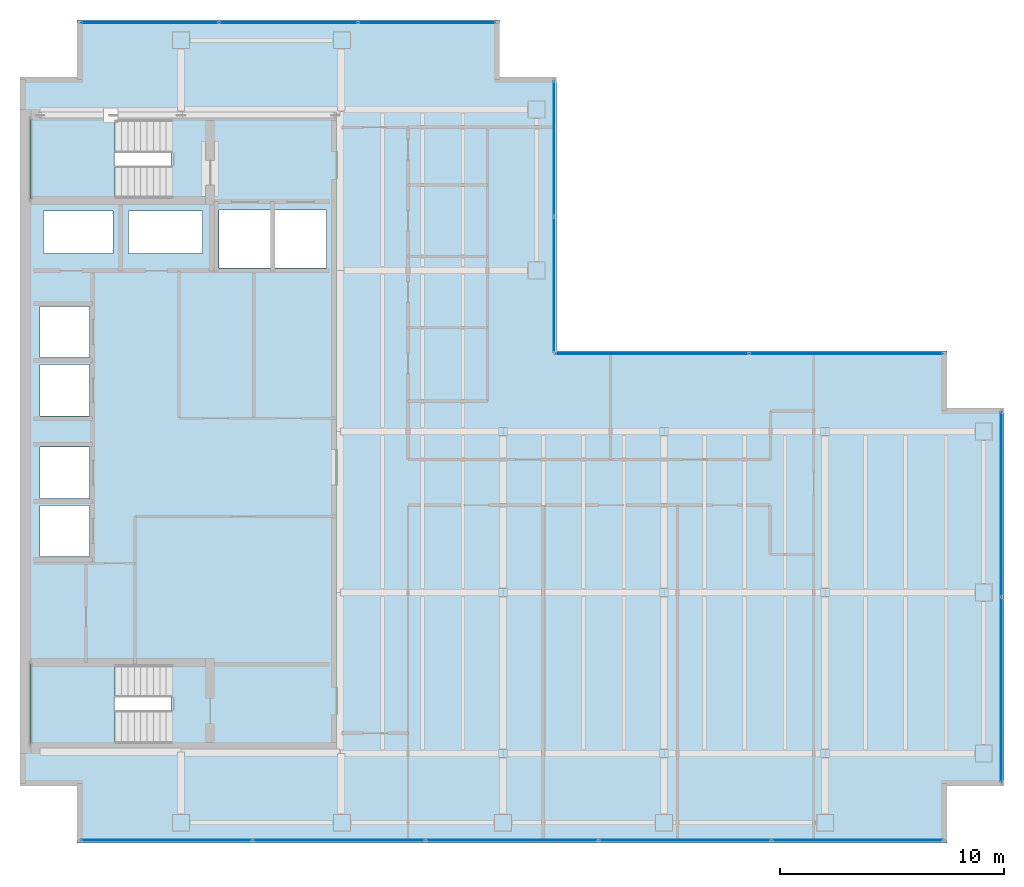
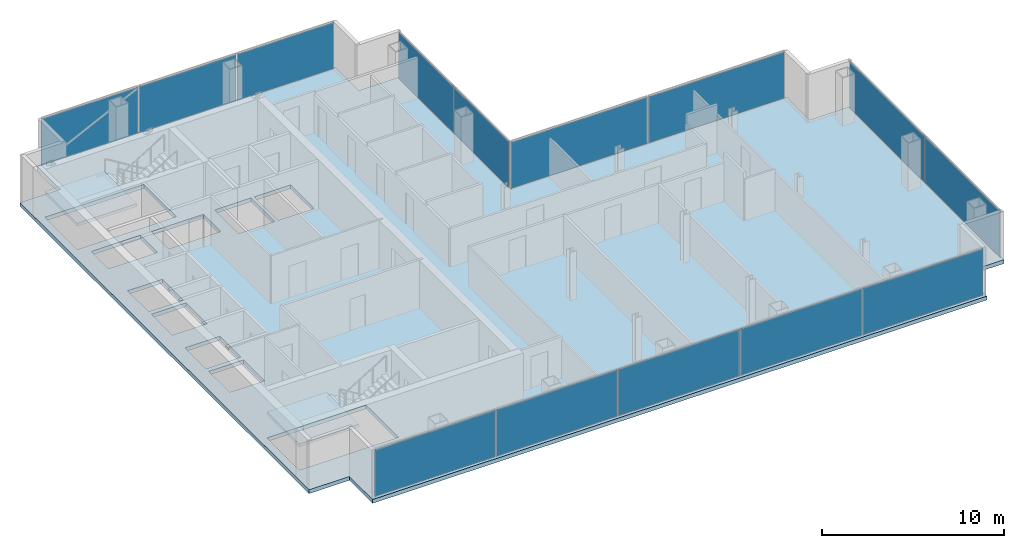
# One storey, part 19 of 23: 14 plates, 3 slabs, 10 openings, 7 elements without a shape of their own.
"""IFC4 building model written with IfcOpenShell, lengths in metres."""

from ifc_helpers import new_model, si_unit, direction, frame, origin, origin_2d, place, context, subcontext, project, spatial, polyline, rectangle, outline, extrude, material, layer, layer_set, type_object, element, aggregate, save


model = new_model("IFC4")

# Units and contexts
model_context = context("Model", 3, precision=1e-05, world=origin(), true_north=direction((0.0, 1.0)))
body_context = subcontext(model_context, "Body", "Model", "MODEL_VIEW")
ifc_project = project(units=[si_unit("LENGTHUNIT", "METRE"), si_unit("AREAUNIT", "SQUARE_METRE"), si_unit("VOLUMEUNIT", "CUBIC_METRE"), si_unit("PLANEANGLEUNIT", "RADIAN"), si_unit("MASSUNIT", "GRAM", prefix="KILO")], contexts=[model_context])

# Site, building, storey
site_placement = place(None, origin())
site = spatial("IfcSite", under=ifc_project, at=site_placement, CompositionType="ELEMENT")
building_placement = place(site_placement, origin())
building = spatial("IfcBuilding", under=site, at=building_placement, Name="Cobrela Telecom Tower", CompositionType="ELEMENT")
storey_placement = place(building_placement, frame((0.0, 0.0, 194.25)))
storey = spatial("IfcBuildingStorey", under=building, at=storey_placement, Name="L49", CompositionType="ELEMENT", Elevation=194.25)

# Curtain wall, plates
ifc_material_1 = material(Name="Anodized Bronze Aluminium 6063-T6", Category="aluminium")
curtain_wall_type = type_object("IfcCurtainWallType", Name="CW-SYS-OFF-LO", PredefinedType="USERDEFINED", material=ifc_material_1)
curtain_wall_1_placement = place(storey_placement, origin())
curtain_wall_1 = element("IfcCurtainWall", 1, at=curtain_wall_1_placement, inside=storey, type_object=curtain_wall_type, Name="L49 Unitised Bronze Curtain Wall 07", ObjectType="UNITISED CURTAIN WALL", PredefinedType="USERDEFINED")
ifc_material_2 = material(Name="Solar-Control Bronze Low-E Glass", Category="glass")
ifc_layer_1 = layer(ifc_material_2, 0.031982421875)
ifc_layer_set_1 = layer_set([ifc_layer_1], Name="Solar-Control Bronze Low-E Glass")
plate_type = type_object("IfcPlateType", Name="CW-SYS-OFF-LO-PNL", PredefinedType="CURTAIN_PANEL", material=ifc_layer_set_1)
plate_1_placement = place(storey_placement, frame((5.797607421875, 39.8798828125, 0.070068359375), z_axis=(0.0, 0.0, 1.0), x_axis=(1.0, 0.0, 0.0)))
plate_1 = element("IfcPlate", 2, at=plate_1_placement, type_object=plate_type, Name="CW-OFF-LO panel 1.1", PredefinedType="CURTAIN_PANEL", context=body_context, shape_type="SweptSolid", body=[
    extrude(rectangle(XDim=6.114990234375, YDim=0.031982421875, at=origin_2d()), origin(), (0.0, 0.0, 1.0), 3.10009765625),
])
plate_2_placement = place(storey_placement, frame((12.0, 39.8798828125, 0.070068359375), z_axis=(0.0, 0.0, 1.0), x_axis=(1.0, 0.0, 0.0)))
plate_2 = element("IfcPlate", 3, at=plate_2_placement, type_object=plate_type, Name="CW-OFF-LO panel 2.1", PredefinedType="CURTAIN_PANEL", context=body_context, shape_type="SweptSolid", body=[
    extrude(rectangle(XDim=6.14990234375, YDim=0.031982421875, at=origin_2d()), origin(), (0.0, 0.0, 1.0), 3.10009765625),
])
plate_3_placement = place(storey_placement, frame((18.202392578125, 39.8798828125, 0.070068359375), z_axis=(0.0, 0.0, 1.0), x_axis=(1.0, 0.0, 0.0)))
plate_3 = element("IfcPlate", 4, at=plate_3_placement, type_object=plate_type, Name="CW-OFF-LO panel 3.1", PredefinedType="CURTAIN_PANEL", context=body_context, shape_type="SweptSolid", body=[
    extrude(rectangle(XDim=6.114990234375, YDim=0.031982421875, at=origin_2d()), origin(), (0.0, 0.0, 1.0), 3.10009765625),
])
aggregate(curtain_wall_1, [plate_1, plate_2, plate_3])

curtain_wall_2_placement = place(storey_placement, origin())
curtain_wall_2 = element("IfcCurtainWall", 5, at=curtain_wall_2_placement, inside=storey, type_object=curtain_wall_type, Name="L49 Unitised Bronze Curtain Wall 10", ObjectType="UNITISED CURTAIN WALL", PredefinedType="USERDEFINED")
plate_4_placement = place(storey_placement, frame((23.8798828125, 34.25, 0.070068359375), z_axis=(0.0, 0.0, 1.0), x_axis=(0.0, -1.0, 0.0)))
plate_4 = element("IfcPlate", 6, at=plate_4_placement, type_object=plate_type, Name="CW-OFF-LO panel 1.1", PredefinedType="CURTAIN_PANEL", context=body_context, shape_type="SweptSolid", body=[
    extrude(rectangle(XDim=6.02001953125, YDim=0.031982421875, at=origin_2d()), origin(), (0.0, 0.0, 1.0), 3.10009765625),
])
plate_5_placement = place(storey_placement, frame((23.8798828125, 28.159912109375, 0.070068359375), z_axis=(0.0, 0.0, 1.0), x_axis=(0.0, -1.0, 0.0)))
plate_5 = element("IfcPlate", 7, at=plate_5_placement, type_object=plate_type, Name="CW-OFF-LO panel 2.1", PredefinedType="CURTAIN_PANEL", context=body_context, shape_type="SweptSolid", body=[
    extrude(rectangle(XDim=6.02001953125, YDim=0.031982421875, at=origin_2d()), origin(), (0.0, 0.0, 1.0), 3.10009765625),
])
aggregate(curtain_wall_2, [plate_4, plate_5])

curtain_wall_3_placement = place(storey_placement, origin())
curtain_wall_3 = element("IfcCurtainWall", 8, at=curtain_wall_3_placement, inside=storey, type_object=curtain_wall_type, Name="L49 Unitised Bronze Curtain Wall 11", ObjectType="UNITISED CURTAIN WALL", PredefinedType="USERDEFINED")
plate_6_placement = place(storey_placement, frame((28.260009765625, 25.080078125, 0.070068359375), z_axis=(0.0, 0.0, 1.0), x_axis=(1.0, 0.0, 0.0)))
plate_6 = element("IfcPlate", 9, at=plate_6_placement, type_object=plate_type, Name="CW-OFF-LO panel 1.1", PredefinedType="CURTAIN_PANEL", context=body_context, shape_type="SweptSolid", body=[
    extrude(rectangle(XDim=8.6201171875, YDim=0.031982421875, at=origin_2d()), origin(), (0.0, 0.0, 1.0), 3.10009765625),
])
plate_7_placement = place(storey_placement, frame((36.949951171875, 25.080078125, 0.070068359375), z_axis=(0.0, 0.0, 1.0), x_axis=(1.0, 0.0, 0.0)))
plate_7 = element("IfcPlate", 10, at=plate_7_placement, type_object=plate_type, Name="CW-OFF-LO panel 2.1", PredefinedType="CURTAIN_PANEL", context=body_context, shape_type="SweptSolid", body=[
    extrude(rectangle(XDim=8.6201171875, YDim=0.031982421875, at=origin_2d()), origin(), (0.0, 0.0, 1.0), 3.10009765625),
])
aggregate(curtain_wall_3, [plate_6, plate_7])

curtain_wall_4_placement = place(storey_placement, origin())
curtain_wall_4 = element("IfcCurtainWall", 11, at=curtain_wall_4_placement, inside=storey, type_object=curtain_wall_type, Name="L49 Unitised Bronze Curtain Wall 14", ObjectType="UNITISED CURTAIN WALL", PredefinedType="USERDEFINED")
plate_8_placement = place(storey_placement, frame((43.8798828125, 18.347412109375, 0.070068359375), z_axis=(0.0, 0.0, 1.0), x_axis=(0.0, -1.0, 0.0)))
plate_8 = element("IfcPlate", 12, at=plate_8_placement, type_object=plate_type, Name="CW-OFF-LO panel 1.1", PredefinedType="CURTAIN_PANEL", context=body_context, shape_type="SweptSolid", body=[
    extrude(rectangle(XDim=8.22509765625, YDim=0.031982421875, at=origin_2d()), origin(), (0.0, 0.0, 1.0), 3.10009765625),
])
plate_9_placement = place(storey_placement, frame((43.8798828125, 10.052490234375, 0.070068359375), z_axis=(0.0, 0.0, 1.0), x_axis=(0.0, -1.0, 0.0)))
plate_9 = element("IfcPlate", 13, at=plate_9_placement, type_object=plate_type, Name="CW-OFF-LO panel 2.1", PredefinedType="CURTAIN_PANEL", context=body_context, shape_type="SweptSolid", body=[
    extrude(rectangle(XDim=8.22509765625, YDim=0.031982421875, at=origin_2d()), origin(), (0.0, 0.0, 1.0), 3.10009765625),
])
aggregate(curtain_wall_4, [plate_8, plate_9])

curtain_wall_5_placement = place(storey_placement, origin())
curtain_wall_5 = element("IfcCurtainWall", 14, at=curtain_wall_5_placement, inside=storey, type_object=curtain_wall_type, Name="L49 Unitised Bronze Curtain Wall 17", ObjectType="UNITISED CURTAIN WALL", PredefinedType="USERDEFINED")
plate_10_placement = place(storey_placement, frame((37.446533203125, 3.320068359375, 0.070068359375), z_axis=(0.0, 0.0, 1.0), x_axis=(-1.0, 0.0, 0.0)))
plate_10 = element("IfcPlate", 15, at=plate_10_placement, type_object=plate_type, Name="CW-OFF-LO panel 1.1", PredefinedType="CURTAIN_PANEL", context=body_context, shape_type="SweptSolid", body=[
    extrude(rectangle(XDim=7.626953125, YDim=0.031982421875, at=origin_2d()), origin(), (0.0, 0.0, 1.0), 3.10009765625),
])
plate_11_placement = place(storey_placement, frame((29.73193359375, 3.320068359375, 0.070068359375), z_axis=(0.0, 0.0, 1.0), x_axis=(-1.0, 0.0, 0.0)))
plate_11 = element("IfcPlate", 16, at=plate_11_placement, type_object=plate_type, Name="CW-OFF-LO panel 2.1", PredefinedType="CURTAIN_PANEL", context=body_context, shape_type="SweptSolid", body=[
    extrude(rectangle(XDim=7.662109375, YDim=0.031982421875, at=origin_2d()), origin(), (0.0, 0.0, 1.0), 3.10009765625),
])
plate_12_placement = place(storey_placement, frame((22.0, 3.320068359375, 0.070068359375), z_axis=(0.0, 0.0, 1.0), x_axis=(-1.0, 0.0, 0.0)))
plate_12 = element("IfcPlate", 17, at=plate_12_placement, type_object=plate_type, Name="CW-OFF-LO panel 3.1", PredefinedType="CURTAIN_PANEL", context=body_context, shape_type="SweptSolid", body=[
    extrude(rectangle(XDim=7.662109375, YDim=0.031982421875, at=origin_2d()), origin(), (0.0, 0.0, 1.0), 3.10009765625),
])
plate_13_placement = place(storey_placement, frame((14.26806640625, 3.320068359375, 0.070068359375), z_axis=(0.0, 0.0, 1.0), x_axis=(-1.0, 0.0, 0.0)))
plate_13 = element("IfcPlate", 18, at=plate_13_placement, type_object=plate_type, Name="CW-OFF-LO panel 4.1", PredefinedType="CURTAIN_PANEL", context=body_context, shape_type="SweptSolid", body=[
    extrude(rectangle(XDim=7.662109375, YDim=0.031982421875, at=origin_2d()), origin(), (0.0, 0.0, 1.0), 3.10009765625),
])
plate_14_placement = place(storey_placement, frame((6.553466796875, 3.320068359375, 0.070068359375), z_axis=(0.0, 0.0, 1.0), x_axis=(-1.0, 0.0, 0.0)))
plate_14 = element("IfcPlate", 19, at=plate_14_placement, type_object=plate_type, Name="CW-OFF-LO panel 5.1", PredefinedType="CURTAIN_PANEL", context=body_context, shape_type="SweptSolid", body=[
    extrude(rectangle(XDim=7.626953125, YDim=0.031982421875, at=origin_2d()), origin(), (0.0, 0.0, 1.0), 3.10009765625),
])
aggregate(curtain_wall_5, [plate_10, plate_11, plate_12, plate_13, plate_14])

# Slab, openings
ifc_material_3 = material(Name="Concrete C40/50", Category="concrete")
ifc_layer_2 = layer(ifc_material_3, 0.260009765625)
ifc_layer_set_2 = layer_set([ifc_layer_2], Name="Concrete C40/50")
slab_type_1 = type_object("IfcSlabType", Name="SLAB-FLR-260", PredefinedType="FLOOR", material=ifc_layer_set_2)
slab_1_placement = place(storey_placement, frame((0.0, 0.0, -0.260009765625)))
slab_1 = element("IfcSlab", 20, at=slab_1_placement, inside=storey, type_object=slab_type_1, Name="L49 Structural Floor Slab", PredefinedType="FLOOR", context=body_context, shape_type="SweptSolid", body=[
    extrude(outline(polyline([(2.550048828125, 3.199951171875), (41.449951171875, 3.199951171875), (41.449951171875, 5.75), (44.0, 5.75), (44.0, 22.64990234375), (41.449951171875, 22.64990234375), (41.449951171875, 25.199951171875), (24.0, 25.199951171875), (24.0, 37.449951171875), (21.449951171875, 37.449951171875), (21.449951171875, 40.0), (2.550048828125, 40.0), (2.550048828125, 37.449951171875), (0.0, 37.449951171875), (0.0, 5.75), (2.550048828125, 5.75), (2.550048828125, 3.199951171875)])), origin(), (0.0, 0.0, 1.0), 0.260009765625),
])
opening_1_placement = place(slab_1_placement, frame((0.0, 0.0, -0.02001953125)))
element("IfcOpeningElement", 21, at=opening_1_placement, cuts=slab_1, Name="Slab Shaft Opening SLAB-L49-MAIN.1", PredefinedType="OPENING", context=body_context, shape_type="SweptSolid", body=[
    extrude(outline(polyline([(8.89990234375, 28.89990234375), (11.199951171875, 28.89990234375), (11.199951171875, 31.5), (8.89990234375, 31.5), (8.89990234375, 28.89990234375)])), origin(), (0.0, 0.0, 1.0), 0.300048828125),
])
opening_2_placement = place(slab_1_placement, frame((0.0, 0.0, -0.02001953125)))
element("IfcOpeningElement", 22, at=opening_2_placement, cuts=slab_1, Name="Slab Shaft Opening SLAB-L49-MAIN.2", PredefinedType="OPENING", context=body_context, shape_type="SweptSolid", body=[
    extrude(outline(polyline([(11.39990234375, 28.89990234375), (13.699951171875, 28.89990234375), (13.699951171875, 31.5), (11.39990234375, 31.5), (11.39990234375, 28.89990234375)])), origin(), (0.0, 0.0, 1.0), 0.300048828125),
])
opening_3_placement = place(slab_1_placement, frame((0.0, 0.0, -0.02001953125)))
element("IfcOpeningElement", 23, at=opening_3_placement, cuts=slab_1, Name="Slab Shaft Opening SLAB-L49-MAIN.3", PredefinedType="OPENING", context=body_context, shape_type="SweptSolid", body=[
    extrude(outline(polyline([(0.89990234375, 16.0), (3.10009765625, 16.0), (3.10009765625, 18.300048828125), (0.89990234375, 18.300048828125), (0.89990234375, 16.0)])), origin(), (0.0, 0.0, 1.0), 0.300048828125),
])
opening_4_placement = place(slab_1_placement, frame((0.0, 0.0, -0.02001953125)))
element("IfcOpeningElement", 24, at=opening_4_placement, cuts=slab_1, Name="Slab Shaft Opening SLAB-L49-MAIN.4", PredefinedType="OPENING", context=body_context, shape_type="SweptSolid", body=[
    extrude(outline(polyline([(0.89990234375, 18.60009765625), (3.10009765625, 18.60009765625), (3.10009765625, 20.89990234375), (0.89990234375, 20.89990234375), (0.89990234375, 18.60009765625)])), origin(), (0.0, 0.0, 1.0), 0.300048828125),
])
opening_5_placement = place(slab_1_placement, frame((0.0, 0.0, -0.02001953125)))
element("IfcOpeningElement", 25, at=opening_5_placement, cuts=slab_1, Name="Slab Shaft Opening SLAB-L49-MAIN.5", PredefinedType="OPENING", context=body_context, shape_type="SweptSolid", body=[
    extrude(outline(polyline([(0.89990234375, 22.300048828125), (3.10009765625, 22.300048828125), (3.10009765625, 24.60009765625), (0.89990234375, 24.60009765625), (0.89990234375, 22.300048828125)])), origin(), (0.0, 0.0, 1.0), 0.300048828125),
])
opening_6_placement = place(slab_1_placement, frame((0.0, 0.0, -0.02001953125)))
element("IfcOpeningElement", 26, at=opening_6_placement, cuts=slab_1, Name="Slab Shaft Opening SLAB-L49-MAIN.6", PredefinedType="OPENING", context=body_context, shape_type="SweptSolid", body=[
    extrude(outline(polyline([(0.89990234375, 24.89990234375), (3.10009765625, 24.89990234375), (3.10009765625, 27.199951171875), (0.89990234375, 27.199951171875), (0.89990234375, 24.89990234375)])), origin(), (0.0, 0.0, 1.0), 0.300048828125),
])
opening_7_placement = place(slab_1_placement, frame((0.0, 0.0, -0.02001953125)))
element("IfcOpeningElement", 27, at=opening_7_placement, cuts=slab_1, Name="Slab Shaft Opening SLAB-L49-MAIN.7", PredefinedType="OPENING", context=body_context, shape_type="SweptSolid", body=[
    extrude(outline(polyline([(1.050048828125, 29.550048828125), (4.14990234375, 29.550048828125), (4.14990234375, 31.449951171875), (1.050048828125, 31.449951171875), (1.050048828125, 29.550048828125)])), origin(), (0.0, 0.0, 1.0), 0.300048828125),
])
opening_8_placement = place(slab_1_placement, frame((0.0, 0.0, -0.02001953125)))
element("IfcOpeningElement", 28, at=opening_8_placement, cuts=slab_1, Name="Slab Shaft Opening SLAB-L49-MAIN.8", PredefinedType="OPENING", context=body_context, shape_type="SweptSolid", body=[
    extrude(outline(polyline([(4.85009765625, 29.550048828125), (8.14990234375, 29.550048828125), (8.14990234375, 31.449951171875), (4.85009765625, 31.449951171875), (4.85009765625, 29.550048828125)])), origin(), (0.0, 0.0, 1.0), 0.300048828125),
])
opening_9_placement = place(slab_1_placement, frame((0.0, 0.0, -0.02001953125)))
element("IfcOpeningElement", 29, at=opening_9_placement, cuts=slab_1, Name="Slab Shaft Opening SLAB-L49-MAIN.9", PredefinedType="OPENING", context=body_context, shape_type="SweptSolid", body=[
    extrude(outline(polyline([(6.7548828125, 35.550048828125), (0.47998046875, 35.550048828125), (0.47998046875, 32.0), (6.7548828125, 32.0), (6.7548828125, 35.550048828125)])), origin(), (0.0, 0.0, 1.0), 0.300048828125),
])
opening_10_placement = place(slab_1_placement, frame((0.0, 0.0, -0.02001953125)))
element("IfcOpeningElement", 30, at=opening_10_placement, cuts=slab_1, Name="Slab Shaft Opening SLAB-L49-MAIN.10", PredefinedType="OPENING", context=body_context, shape_type="SweptSolid", body=[
    extrude(outline(polyline([(6.7548828125, 11.199951171875), (0.47998046875, 11.199951171875), (0.47998046875, 7.64990234375), (6.7548828125, 7.64990234375), (6.7548828125, 11.199951171875)])), origin(), (0.0, 0.0, 1.0), 0.300048828125),
])

# Stair, slab
stair_type = type_object("IfcStairType", Name="STAIR-CORE", PredefinedType="HALF_TURN_STAIR", material=ifc_material_3)
stair_1_placement = place(storey_placement, origin())
stair_1 = element("IfcStair", 31, at=stair_1_placement, inside=storey, type_object=stair_type, Name="L49 Smokeproof Exit Stair ST1", PredefinedType="HALF_TURN_STAIR")
ifc_layer_3 = layer(ifc_material_3, 0.199951171875)
ifc_layer_set_3 = layer_set([ifc_layer_3], Name="Concrete C40/50")
slab_type_2 = type_object("IfcSlabType", Name="SLAB-LAND-200", PredefinedType="LANDING", material=ifc_layer_set_3)
slab_2_placement = place(storey_placement, frame((0.0, 0.0, 1.550048828125)))
slab_2 = element("IfcSlab", 32, at=slab_2_placement, type_object=slab_type_2, Name="ST1 landing 1", PredefinedType="LANDING", context=body_context, shape_type="SweptSolid", body=[
    extrude(outline(polyline([(4.2548828125, 35.550048828125), (0.47998046875, 35.550048828125), (0.47998046875, 32.0), (4.2548828125, 32.0), (4.2548828125, 35.550048828125)])), origin(), (0.0, 0.0, 1.0), 0.199951171875),
])
aggregate(stair_1, [slab_2])

stair_2_placement = place(storey_placement, origin())
stair_2 = element("IfcStair", 33, at=stair_2_placement, inside=storey, type_object=stair_type, Name="L49 Smokeproof Exit Stair ST2", PredefinedType="HALF_TURN_STAIR")
slab_3_placement = place(storey_placement, frame((0.0, 0.0, 1.550048828125)))
slab_3 = element("IfcSlab", 34, at=slab_3_placement, type_object=slab_type_2, Name="ST2 landing 1", PredefinedType="LANDING", context=body_context, shape_type="SweptSolid", body=[
    extrude(outline(polyline([(4.2548828125, 11.199951171875), (0.47998046875, 11.199951171875), (0.47998046875, 7.64990234375), (4.2548828125, 7.64990234375), (4.2548828125, 11.199951171875)])), origin(), (0.0, 0.0, 1.0), 0.199951171875),
])
aggregate(stair_2, [slab_3])

save(model, "model.ifc")
